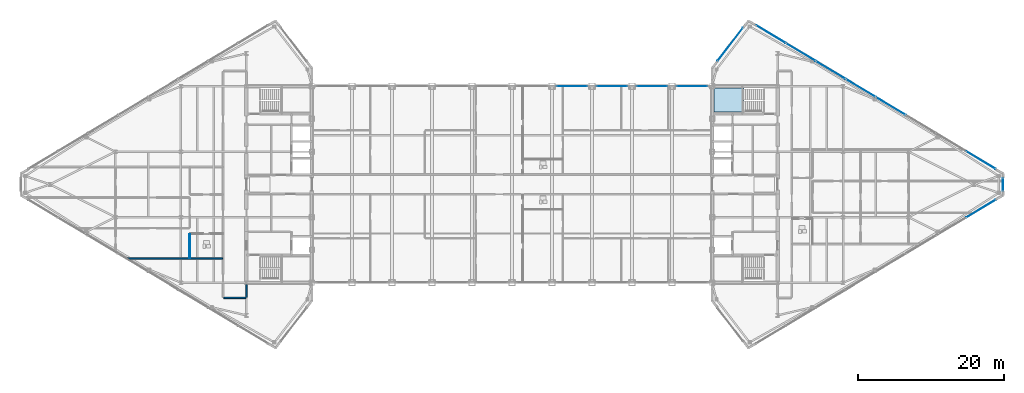
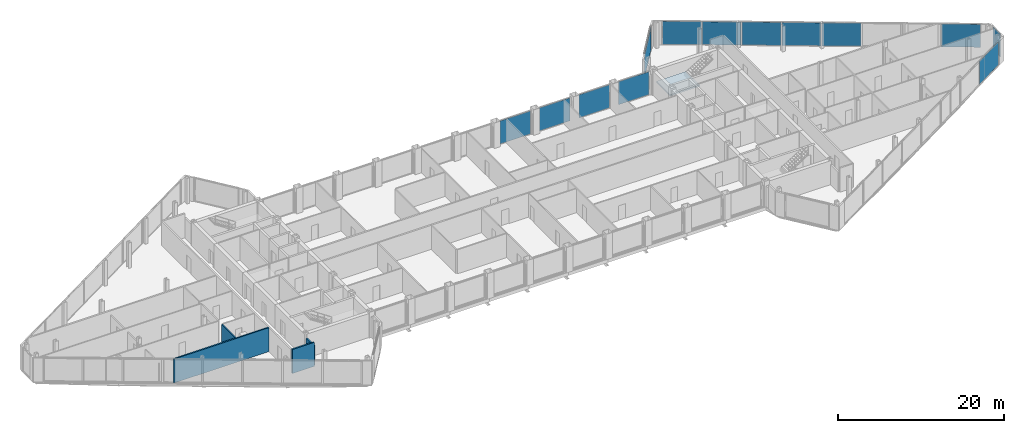
# One storey, part 20 of 29: 13 plates, 4 walls, 1 slab, 9 elements without a shape of their own.
"""IFC4 building model written with IfcOpenShell, lengths in metres."""

from ifc_helpers import new_model, si_unit, direction, frame, frame_2d, origin, origin_2d, place, context, subcontext, project, spatial, polyline, rectangle, outline, extrude, source, transform, mapped, material, layer, layer_set, type_object, type_shapes, element, aggregate, save


model = new_model("IFC4")

# Units and contexts
model_context = context("Model", 3, precision=1e-05, world=origin(), true_north=direction((0.0, 1.0)))
body_context = subcontext(model_context, "Body", "Model", "MODEL_VIEW")
ifc_project = project(units=[si_unit("LENGTHUNIT", "METRE"), si_unit("AREAUNIT", "SQUARE_METRE"), si_unit("VOLUMEUNIT", "CUBIC_METRE"), si_unit("PLANEANGLEUNIT", "RADIAN"), si_unit("MASSUNIT", "GRAM", prefix="KILO")], contexts=[model_context])

# Site, building, storey
site_placement = place(None, origin())
site = spatial("IfcSite", under=ifc_project, at=site_placement, CompositionType="ELEMENT")
building_placement = place(site_placement, origin())
building = spatial("IfcBuilding", under=site, at=building_placement, Name="Seokmaru Belvedere", CompositionType="ELEMENT")
storey_placement = place(building_placement, frame((0.0, 0.0, 246.89990234375)))
storey = spatial("IfcBuildingStorey", under=building, at=storey_placement, Name="L65", CompositionType="ELEMENT", Elevation=246.89990234375)

# Stair, slab
ifc_material_1 = material(Name="Concrete C40 (40 MPa)", Category="concrete")
stair_type = type_object("IfcStairType", Name="Sky-Gate Residential Core Dog-Leg Stair 3750", PredefinedType="TWO_STRAIGHT_RUN_STAIR", material=ifc_material_1)
stair_placement = place(storey_placement, origin())
stair = element("IfcStair", 1, at=stair_placement, inside=storey, type_object=stair_type, Name="L65 Special Escape Stair ST-E2", PredefinedType="TWO_STRAIGHT_RUN_STAIR")
ifc_layer_1 = layer(ifc_material_1, 0.199951171875)
ifc_layer_set_1 = layer_set([ifc_layer_1], Name="Concrete C40 (40 MPa)")
slab_type = type_object("IfcSlabType", Name="Reinforced Concrete Stair Landing Slab 200", PredefinedType="LANDING", material=ifc_layer_set_1)
slab_placement = place(storey_placement, frame((0.0, 0.0, 1.675048828125)))
slab = element("IfcSlab", 2, at=slab_placement, type_object=slab_type, Name="ST-E2 landing 1", PredefinedType="LANDING", context=body_context, shape_type="SweptSolid", body=[
    extrude(outline(polyline([(27.760009765625, 9.949951171875), (31.8798828125, 9.949951171875), (31.8798828125, 13.239990234375), (27.760009765625, 13.239990234375), (27.760009765625, 9.949951171875)])), origin(), (0.0, 0.0, 1.0), 0.199951171875),
])
aggregate(stair, [slab])

# Curtain wall, plate
ifc_material_2 = material(Name="Bronze Triple Insulating Glass", Category="glass")
ifc_layer_2 = layer(ifc_material_2, 0.219970703125)
ifc_layer_set_2 = layer_set([ifc_layer_2], Name="Bronze Triple Insulating Glass")
curtain_wall_type = type_object("IfcCurtainWallType", Name="Sky-Gate Bridge Panorama Curtain Wall System CW-6", PredefinedType="NOTDEFINED", material=ifc_layer_set_2)
curtain_wall_1_placement = place(storey_placement, origin())
curtain_wall_1 = element("IfcCurtainWall", 3, at=curtain_wall_1_placement, inside=storey, type_object=curtain_wall_type, Name="L65 Curtain Wall EF4", PredefinedType="NOTDEFINED")
ifc_layer_3 = layer(ifc_material_2, 0.0419921875)
ifc_layer_set_3 = layer_set([ifc_layer_3], Name="Bronze Triple Insulating Glass")
plate_type = type_object("IfcPlateType", Name="Acoustic Laminated Panorama Glazing Panel 42", PredefinedType="CURTAIN_PANEL", material=ifc_layer_set_3)
shared_shape_1 = source(origin(), body_context, "Body", "SweptSolid", [
    extrude(rectangle(XDim=5.740478515625, YDim=0.0419921875, at=origin_2d()), origin(), (0.0, 0.0, 1.0), 3.3798828125),
])
plate_1_placement = place(storey_placement, frame((30.0, 19.25, 0.0751953125), z_axis=(0.0, 0.0, 1.0), x_axis=(-0.609701187349, -0.792631353244, 0.0)))
plate_1 = element("IfcPlate", 4, at=plate_1_placement, type_object=plate_type, Name="CW:L65:EF4 Glazing Panel 1-1", PredefinedType="CURTAIN_PANEL", context=body_context, shape_type="MappedRepresentation", body=[
    mapped(shared_shape_1, transform((0.0, 0.0, 0.0), scale=1.0)),
])
aggregate(curtain_wall_1, [plate_1])

curtain_wall_2_placement = place(storey_placement, origin())
curtain_wall_2 = element("IfcCurtainWall", 5, at=curtain_wall_2_placement, inside=storey, type_object=curtain_wall_type, Name="L65 Curtain Wall EF1", PredefinedType="NOTDEFINED")
shared_shape_2 = source(origin(), body_context, "Body", "SweptSolid", [
    extrude(rectangle(XDim=4.694580078125, YDim=0.0419921875, at=origin_2d()), origin(), (0.0, 0.0, 1.0), 3.3798828125),
])
plate_2_placement = place(storey_placement, frame((64.4326171875, -3.340576171875, 0.0751953125), z_axis=(0.0, 0.0, 1.0), x_axis=(0.85749343335, 0.514494909364, 0.0)))
plate_2 = element("IfcPlate", 6, at=plate_2_placement, type_object=plate_type, Name="CW:L65:EF1 Glazing Panel 8-1", PredefinedType="CURTAIN_PANEL", context=body_context, shape_type="MappedRepresentation", body=[
    mapped(shared_shape_2, transform((0.0, 0.0, 0.0), scale=1.0)),
])
aggregate(curtain_wall_2, [plate_2])

# Curtain wall, plates
curtain_wall_3_placement = place(storey_placement, origin())
curtain_wall_3 = element("IfcCurtainWall", 7, at=curtain_wall_3_placement, inside=storey, type_object=curtain_wall_type, Name="L65 Curtain Wall EF3", PredefinedType="NOTDEFINED")
plate_3_placement = place(storey_placement, frame((64.4326171875, 3.340576171875, 0.0751953125), z_axis=(0.0, 0.0, 1.0), x_axis=(-0.85749343335, 0.514494909364, 0.0)))
plate_3 = element("IfcPlate", 8, at=plate_3_placement, type_object=plate_type, Name="CW:L65:EF3 Glazing Panel 1-1", PredefinedType="CURTAIN_PANEL", context=body_context, shape_type="MappedRepresentation", body=[
    mapped(shared_shape_2, transform((0.0, 0.0, 0.0), scale=1.0)),
])
plate_4_placement = place(storey_placement, frame((35.5673828125, 20.659423828125, 0.0751953125), z_axis=(0.0, 0.0, 1.0), x_axis=(-0.85749343335, 0.514494909364, 0.0)))
plate_4 = element("IfcPlate", 9, at=plate_4_placement, type_object=plate_type, Name="CW:L65:EF3 Glazing Panel 8-1", PredefinedType="CURTAIN_PANEL", context=body_context, shape_type="MappedRepresentation", body=[
    mapped(shared_shape_2, transform((0.0, 0.0, 0.0), scale=1.0)),
])
shared_shape_3 = source(origin(), body_context, "Body", "SweptSolid", [
    extrude(rectangle(XDim=4.734619140625, YDim=0.0419921875, at=origin_2d()), origin(), (0.0, 0.0, 1.0), 3.3798828125),
])
plate_5_placement = place(storey_placement, frame((52.064208984375, 10.761474609375, 0.0751953125), z_axis=(0.0, 0.0, 1.0), x_axis=(-0.85749343335, 0.514494909364, 0.0)))
plate_5 = element("IfcPlate", 10, at=plate_5_placement, type_object=plate_type, Name="CW:L65:EF3 Glazing Panel 4-1", PredefinedType="CURTAIN_PANEL", context=body_context, shape_type="MappedRepresentation", body=[
    mapped(shared_shape_3, transform((0.0, 0.0, 0.0), scale=1.0)),
])
plate_6_placement = place(storey_placement, frame((47.935791015625, 13.238525390625, 0.0751953125), z_axis=(0.0, 0.0, 1.0), x_axis=(-0.85749343335, 0.514494909364, 0.0)))
plate_6 = element("IfcPlate", 11, at=plate_6_placement, type_object=plate_type, Name="CW:L65:EF3 Glazing Panel 5-1", PredefinedType="CURTAIN_PANEL", context=body_context, shape_type="MappedRepresentation", body=[
    mapped(shared_shape_3, transform((0.0, 0.0, 0.0), scale=1.0)),
])
plate_7_placement = place(storey_placement, frame((43.807373046875, 15.715576171875, 0.0751953125), z_axis=(0.0, 0.0, 1.0), x_axis=(-0.85749343335, 0.514494909364, 0.0)))
plate_7 = element("IfcPlate", 12, at=plate_7_placement, type_object=plate_type, Name="CW:L65:EF3 Glazing Panel 6-1", PredefinedType="CURTAIN_PANEL", context=body_context, shape_type="MappedRepresentation", body=[
    mapped(shared_shape_3, transform((0.0, 0.0, 0.0), scale=1.0)),
])
plate_8_placement = place(storey_placement, frame((39.6787109375, 18.192626953125, 0.0751953125), z_axis=(0.0, 0.0, 1.0), x_axis=(-0.85749343335, 0.514494909364, 0.0)))
plate_8 = element("IfcPlate", 13, at=plate_8_placement, type_object=plate_type, Name="CW:L65:EF3 Glazing Panel 7-1", PredefinedType="CURTAIN_PANEL", context=body_context, shape_type="MappedRepresentation", body=[
    mapped(shared_shape_3, transform((0.0, 0.0, 0.0), scale=1.0)),
])
aggregate(curtain_wall_3, [plate_3, plate_5, plate_6, plate_7, plate_8, plate_4])

# Curtain wall, plate
curtain_wall_4_placement = place(storey_placement, origin())
curtain_wall_4 = element("IfcCurtainWall", 14, at=curtain_wall_4_placement, inside=storey, type_object=curtain_wall_type, Name="L65 Curtain Wall EF2", PredefinedType="NOTDEFINED")
shared_shape_4 = source(origin(), body_context, "Body", "SweptSolid", [
    extrude(rectangle(XDim=1.739990234375, YDim=0.0419921875, at=origin_2d()), origin(), (0.0, 0.0, 1.0), 3.3798828125),
])
plate_9_placement = place(storey_placement, frame((67.5, 0.0, 0.0751953125), z_axis=(0.0, 0.0, 1.0), x_axis=(0.0, 1.0, 0.0)))
plate_9 = element("IfcPlate", 15, at=plate_9_placement, type_object=plate_type, Name="CW:L65:EF2 Glazing Panel 1-1", PredefinedType="CURTAIN_PANEL", context=body_context, shape_type="MappedRepresentation", body=[
    mapped(shared_shape_4, transform((0.0, 0.0, 0.0), scale=1.0)),
])
aggregate(curtain_wall_4, [plate_9])

curtain_wall_5_placement = place(storey_placement, origin())
curtain_wall_5 = element("IfcCurtainWall", 16, at=curtain_wall_5_placement, inside=storey, type_object=curtain_wall_type, Name="L65 Curtain Wall BR_N07", PredefinedType="NOTDEFINED")
shared_shape_5 = source(origin(), body_context, "Body", "SweptSolid", [
    extrude(rectangle(XDim=4.239990234375, YDim=0.0419921875, at=origin_2d()), origin(), (0.0, 0.0, 1.0), 3.3798828125),
])
type_shapes(plate_type, [shared_shape_1, shared_shape_2, shared_shape_3, shared_shape_4, shared_shape_5])
plate_10_placement = place(storey_placement, frame((8.25, 13.5, 0.0751953125), z_axis=(0.0, 0.0, 1.0), x_axis=(-1.0, 0.0, 0.0)))
plate_10 = element("IfcPlate", 17, at=plate_10_placement, type_object=plate_type, Name="CW:L65:BR_N07 Glazing Panel 1-1", PredefinedType="CURTAIN_PANEL", context=body_context, shape_type="MappedRepresentation", body=[
    mapped(shared_shape_5, transform((0.0, 0.0, 0.0), scale=1.0)),
])
aggregate(curtain_wall_5, [plate_10])

curtain_wall_6_placement = place(storey_placement, origin())
curtain_wall_6 = element("IfcCurtainWall", 18, at=curtain_wall_6_placement, inside=storey, type_object=curtain_wall_type, Name="L65 Curtain Wall BR_N08", PredefinedType="NOTDEFINED")
plate_11_placement = place(storey_placement, frame((13.75, 13.5, 0.0751953125), z_axis=(0.0, 0.0, 1.0), x_axis=(-1.0, 0.0, 0.0)))
plate_11 = element("IfcPlate", 19, at=plate_11_placement, type_object=plate_type, Name="CW:L65:BR_N08 Glazing Panel 1-1", PredefinedType="CURTAIN_PANEL", context=body_context, shape_type="MappedRepresentation", body=[
    mapped(shared_shape_5, transform((0.0, 0.0, 0.0), scale=1.0)),
])
aggregate(curtain_wall_6, [plate_11])

curtain_wall_7_placement = place(storey_placement, origin())
curtain_wall_7 = element("IfcCurtainWall", 20, at=curtain_wall_7_placement, inside=storey, type_object=curtain_wall_type, Name="L65 Curtain Wall BR_N09", PredefinedType="NOTDEFINED")
plate_12_placement = place(storey_placement, frame((19.25, 13.5, 0.0751953125), z_axis=(0.0, 0.0, 1.0), x_axis=(-1.0, 0.0, 0.0)))
plate_12 = element("IfcPlate", 21, at=plate_12_placement, type_object=plate_type, Name="CW:L65:BR_N09 Glazing Panel 1-1", PredefinedType="CURTAIN_PANEL", context=body_context, shape_type="MappedRepresentation", body=[
    mapped(shared_shape_5, transform((0.0, 0.0, 0.0), scale=1.0)),
])
aggregate(curtain_wall_7, [plate_12])

curtain_wall_8_placement = place(storey_placement, origin())
curtain_wall_8 = element("IfcCurtainWall", 22, at=curtain_wall_8_placement, inside=storey, type_object=curtain_wall_type, Name="L65 Curtain Wall BR_N10", PredefinedType="NOTDEFINED")
plate_13_placement = place(storey_placement, frame((24.75, 13.5, 0.0751953125), z_axis=(0.0, 0.0, 1.0), x_axis=(-1.0, 0.0, 0.0)))
plate_13 = element("IfcPlate", 23, at=plate_13_placement, type_object=plate_type, Name="CW:L65:BR_N10 Glazing Panel 1-1", PredefinedType="CURTAIN_PANEL", context=body_context, shape_type="MappedRepresentation", body=[
    mapped(shared_shape_5, transform((0.0, 0.0, 0.0), scale=1.0)),
])
aggregate(curtain_wall_8, [plate_13])

# Walls
ifc_material_3 = material(Name="Fire-Rated Gypsum Shaftwall")
ifc_layer_4 = layer(ifc_material_3, 0.199951171875)
ifc_layer_set_4 = layer_set([ifc_layer_4], Name="Fire-Rated Gypsum Shaftwall")
wall_type_1 = type_object("IfcWallType", Name="Inter-Tenancy Fire Compartment Partition 200", PredefinedType="PARTITIONING", material=ifc_layer_set_4)
wall_1_placement = place(storey_placement, frame((-39.614990234375, -15.60009765625, 0.0), z_axis=(0.0, 0.0, 1.0), x_axis=(1.0, 0.0, 0.0)))
element("IfcWall", 24, at=wall_1_placement, inside=storey, type_object=wall_type_1, Name="L65 Interior Partition 001", PredefinedType="PARTITIONING", context=body_context, shape_type="SweptSolid", body=[
    extrude(rectangle(XDim=3.030029296875, YDim=0.199951171875, at=frame_2d((1.51513671875, 0.0))), origin(), (0.0, 0.0, 1.0), 3.530029296875),
])
wall_2_placement = place(storey_placement, frame((-53.010009765625, -10.199951171875, 0.0), z_axis=(0.0, 0.0, 1.0), x_axis=(1.0, 0.0, 0.0)))
element("IfcWall", 25, at=wall_2_placement, inside=storey, type_object=wall_type_1, Name="L65 Interior Partition 003", PredefinedType="PARTITIONING", context=body_context, shape_type="SweptSolid", body=[
    extrude(rectangle(XDim=13.22998046875, YDim=0.199951171875, at=frame_2d((6.614990234375, 0.0))), origin(), (0.0, 0.0, 1.0), 3.530029296875),
])
wall_3_placement = place(storey_placement, frame((-36.5, -15.514892578125, 0.0), z_axis=(0.0, 0.0, 1.0), x_axis=(0.0, 1.0, 0.0)))
element("IfcWall", 26, at=wall_3_placement, inside=storey, type_object=wall_type_1, Name="L65 Interior Partition 032", PredefinedType="PARTITIONING", context=body_context, shape_type="SweptSolid", body=[
    extrude(rectangle(XDim=1.760009765625, YDim=0.199951171875, at=frame_2d((0.8798828125, 0.0))), origin(), (0.0, 0.0, 1.0), 2.93017578125),
])
ifc_layer_5 = layer(ifc_material_3, 0.1298828125)
ifc_layer_set_5 = layer_set([ifc_layer_5], Name="Fire-Rated Gypsum Shaftwall")
wall_type_2 = type_object("IfcWallType", Name="Moisture-Resistant Fire-Rated Bathroom Partition 130", PredefinedType="PARTITIONING", material=ifc_layer_set_5)
wall_4_placement = place(storey_placement, frame((-44.300048828125, -10.14990234375, 0.0), z_axis=(0.0, 0.0, 1.0), x_axis=(0.0, 1.0, 0.0)))
element("IfcWall", 27, at=wall_4_placement, inside=storey, type_object=wall_type_2, Name="L65 Interior Partition 028", PredefinedType="PARTITIONING", context=body_context, shape_type="SweptSolid", body=[
    extrude(rectangle(XDim=3.2998046875, YDim=0.1298828125, at=frame_2d((1.64990234375, 0.0))), origin(), (0.0, 0.0, 1.0), 3.530029296875),
])

save(model, "model.ifc")
